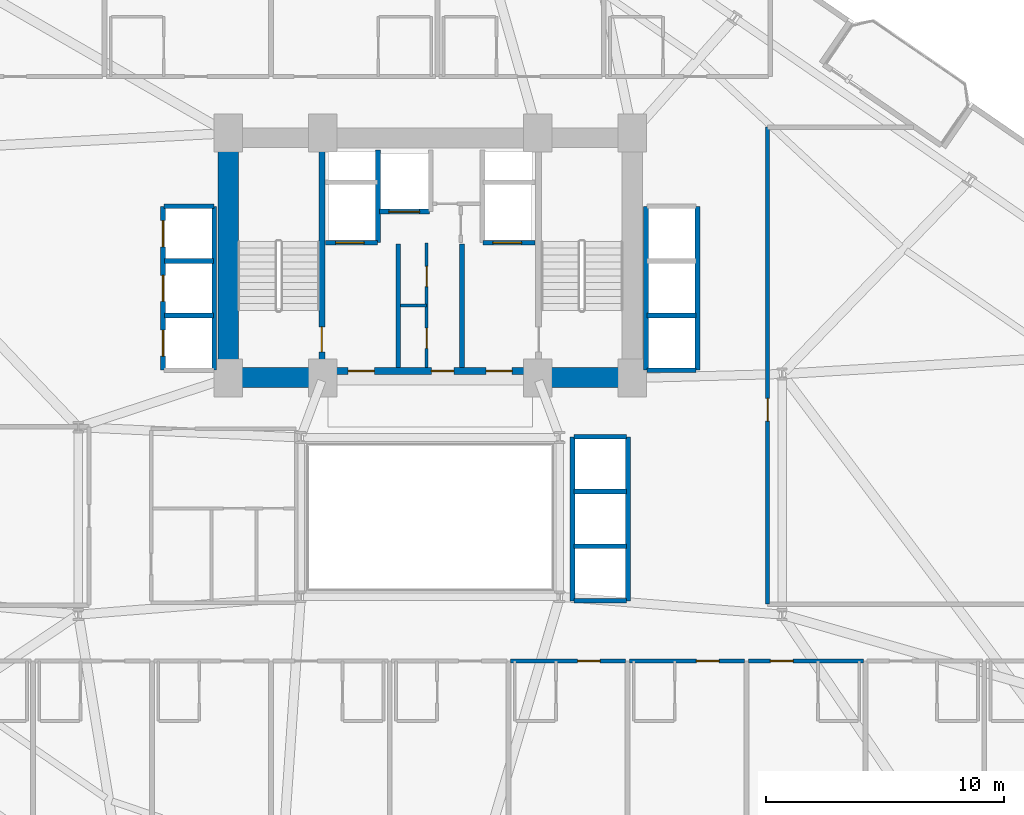
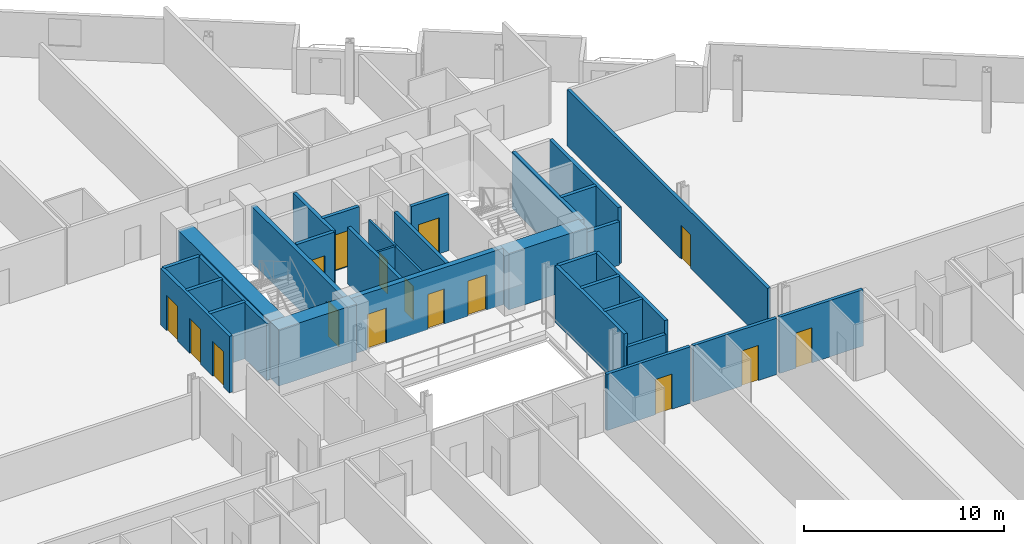
# One storey, part 21 of 27: 32 walls, 16 doors, 16 openings.
"""IFC4 building model written with IfcOpenShell, lengths in metres."""

from ifc_helpers import new_model, si_unit, direction, frame, frame_2d, origin, place, context, subcontext, project, spatial, rectangle, extrude, material, layer, layer_set, type_object, element, fill, save


model = new_model("IFC4")

# Units and contexts
model_context = context("Model", 3, precision=1e-05, world=origin(), true_north=direction((0.0, 1.0)))
body_context = subcontext(model_context, "Body", "Model", "MODEL_VIEW")
ifc_project = project(units=[si_unit("LENGTHUNIT", "METRE"), si_unit("AREAUNIT", "SQUARE_METRE"), si_unit("VOLUMEUNIT", "CUBIC_METRE"), si_unit("PLANEANGLEUNIT", "RADIAN"), si_unit("MASSUNIT", "GRAM", prefix="KILO")], contexts=[model_context])

# Site, building, storey
site_placement = place(None, origin())
site = spatial("IfcSite", under=ifc_project, at=site_placement, CompositionType="ELEMENT")
building_placement = place(site_placement, origin())
building = spatial("IfcBuilding", under=site, at=building_placement, Name="Varnelok Gate Tower", CompositionType="ELEMENT")
storey_placement = place(building_placement, frame((0.0, 0.0, 30.699951171875)))
storey = spatial("IfcBuildingStorey", under=building, at=storey_placement, Name="L06", CompositionType="ELEMENT", Elevation=30.699951171875)

# Wall, opening, door
ifc_material_1 = material(Name="Gypsum Plasterboard Acoustic Partition", Category="gypsum")
ifc_layer_1 = layer(ifc_material_1, 0.179931640625)
ifc_layer_set_1 = layer_set([ifc_layer_1], Name="Gypsum Plasterboard Acoustic Partition")
wall_type_1 = type_object("IfcWallType", Name="PW-CORR-180", PredefinedType="PARTITIONING", material=ifc_layer_set_1)
wall_1_placement = place(storey_placement, frame((42.580078125, 16.85009765625, 0.0), z_axis=(0.0, 0.0, 1.0), x_axis=(1.0, 0.0, 0.0)))
wall_1 = element("IfcWall", 1, at=wall_1_placement, inside=storey, type_object=wall_type_1, Name="Interior Partition", PredefinedType="PARTITIONING", context=body_context, shape_type="SweptSolid", body=[
    extrude(rectangle(XDim=4.83984375, YDim=0.179931640625, at=frame_2d((2.419921875, 0.0))), origin(), (0.0, 0.0, 1.0), 3.449951171875),
])
opening_1_placement = place(wall_1_placement, frame((2.819091796875, 0.0, 0.0)))
opening_1 = element("IfcOpeningElement", 2, at=opening_1_placement, cuts=wall_1, Name="Opening D-HT", PredefinedType="OPENING", context=body_context, shape_type="SweptSolid", body=[
    extrude(rectangle(XDim=0.949951171875, YDim=2.14990234375, at=frame_2d((0.47509765625, 1.074951171875))), frame((0.0, 0.099853515625, 0.0), z_axis=(0.0, -1.0, 0.0), x_axis=(1.0, 0.0, 0.0)), (0.0, 0.0, 1.0), 0.199951171875),
])
ifc_material_2 = material(Name="Engineered Hardwood Timber", Category="wood")
door_type_1 = type_object("IfcDoorType", Name="DR-HTL-950", OperationType="NOTDEFINED", PredefinedType="DOOR", material=ifc_material_2)
door_1_placement = place(opening_1_placement, origin())
door_1 = element("IfcDoor", 3, at=door_1_placement, inside=storey, type_object=door_type_1, Name="L06 Guest Room 08 Entrance Door", OperationType="SINGLE_SWING_LEFT", OverallHeight=2.14990234375, OverallWidth=0.949951171875, PredefinedType="DOOR", context=body_context, shape_type="SweptSolid", body=[
    extrude(rectangle(XDim=0.949951171875, YDim=2.14990234375, at=frame_2d((0.47509765625, 1.074951171875))), frame((0.0, 0.02490234375, 0.0), z_axis=(0.0, -1.0, 0.0), x_axis=(1.0, 0.0, 0.0)), (0.0, 0.0, 1.0), 0.050048828125),
])
fill(opening_1, door_1)

wall_2_placement = place(storey_placement, frame((47.580078125, 16.85009765625, 0.0), z_axis=(0.0, 0.0, 1.0), x_axis=(1.0, 0.0, 0.0)))
wall_2 = element("IfcWall", 4, at=wall_2_placement, inside=storey, type_object=wall_type_1, Name="Interior Partition", PredefinedType="PARTITIONING", context=body_context, shape_type="SweptSolid", body=[
    extrude(rectangle(XDim=4.83984375, YDim=0.179931640625, at=frame_2d((2.419921875, 0.0))), origin(), (0.0, 0.0, 1.0), 3.449951171875),
])
opening_2_placement = place(wall_2_placement, frame((2.819091796875, 0.0, 0.0)))
opening_2 = element("IfcOpeningElement", 5, at=opening_2_placement, cuts=wall_2, Name="Opening D-HT", PredefinedType="OPENING", context=body_context, shape_type="SweptSolid", body=[
    extrude(rectangle(XDim=0.949951171875, YDim=2.14990234375, at=frame_2d((0.47509765625, 1.074951171875))), frame((0.0, 0.099853515625, 0.0), z_axis=(0.0, -1.0, 0.0), x_axis=(1.0, 0.0, 0.0)), (0.0, 0.0, 1.0), 0.199951171875),
])
door_2_placement = place(opening_2_placement, origin())
door_2 = element("IfcDoor", 6, at=door_2_placement, inside=storey, type_object=door_type_1, Name="L06 Guest Room 09 Entrance Door", OperationType="SINGLE_SWING_RIGHT", OverallHeight=2.14990234375, OverallWidth=0.949951171875, PredefinedType="DOOR", context=body_context, shape_type="SweptSolid", body=[
    extrude(rectangle(XDim=0.949951171875, YDim=2.14990234375, at=frame_2d((0.47509765625, 1.074951171875))), frame((0.0, 0.02490234375, 0.0), z_axis=(0.0, -1.0, 0.0), x_axis=(1.0, 0.0, 0.0)), (0.0, 0.0, 1.0), 0.050048828125),
])
fill(opening_2, door_2)

wall_3_placement = place(storey_placement, frame((52.580078125, 16.85009765625, 0.0), z_axis=(0.0, 0.0, 1.0), x_axis=(1.0, 0.0, 0.0)))
wall_3 = element("IfcWall", 7, at=wall_3_placement, inside=storey, type_object=wall_type_1, Name="Interior Partition", PredefinedType="PARTITIONING", context=body_context, shape_type="SweptSolid", body=[
    extrude(rectangle(XDim=4.83984375, YDim=0.179931640625, at=frame_2d((2.419921875, 0.0))), origin(), (0.0, 0.0, 1.0), 3.449951171875),
])
opening_3_placement = place(wall_3_placement, frame((0.92919921875, 0.0, 0.0)))
opening_3 = element("IfcOpeningElement", 8, at=opening_3_placement, cuts=wall_3, Name="Opening D-HT", PredefinedType="OPENING", context=body_context, shape_type="SweptSolid", body=[
    extrude(rectangle(XDim=0.949951171875, YDim=2.14990234375, at=frame_2d((0.47509765625, 1.074951171875))), frame((0.0, 0.099853515625, 0.0), z_axis=(0.0, -1.0, 0.0), x_axis=(1.0, 0.0, 0.0)), (0.0, 0.0, 1.0), 0.199951171875),
])
door_3_placement = place(opening_3_placement, origin())
door_3 = element("IfcDoor", 9, at=door_3_placement, inside=storey, type_object=door_type_1, Name="L06 Guest Room 10 Entrance Door", OperationType="SINGLE_SWING_LEFT", OverallHeight=2.14990234375, OverallWidth=0.949951171875, PredefinedType="DOOR", context=body_context, shape_type="SweptSolid", body=[
    extrude(rectangle(XDim=0.949951171875, YDim=2.14990234375, at=frame_2d((0.47509765625, 1.074951171875))), frame((0.0, 0.02490234375, 0.0), z_axis=(0.0, -1.0, 0.0), x_axis=(1.0, 0.0, 0.0)), (0.0, 0.0, 1.0), 0.050048828125),
])
fill(opening_3, door_3)

wall_4_placement = place(storey_placement, frame((53.389892578125, 19.239990234375, 0.0), z_axis=(0.0, 0.0, 1.0), x_axis=(0.0, 1.0, 0.0)))
wall_4 = element("IfcWall", 10, at=wall_4_placement, inside=storey, type_object=wall_type_1, Name="Interior Partition", PredefinedType="PARTITIONING", context=body_context, shape_type="SweptSolid", body=[
    extrude(rectangle(XDim=20.06005859375, YDim=0.179931640625, at=frame_2d((10.030029296875, 0.0))), origin(), (0.0, 0.0, 1.0), 3.449951171875),
])
opening_4_placement = place(wall_4_placement, frame((7.699951171875, 0.0, 0.0)))
opening_4 = element("IfcOpeningElement", 11, at=opening_4_placement, cuts=wall_4, Name="Opening D-I2", PredefinedType="OPENING", context=body_context, shape_type="SweptSolid", body=[
    extrude(rectangle(XDim=0.949951171875, YDim=2.050048828125, at=frame_2d((0.47509765625, 1.02490234375))), frame((0.0, 0.099853515625, 0.0), z_axis=(0.0, -1.0, 0.0), x_axis=(1.0, 0.0, 0.0)), (0.0, 0.0, 1.0), 0.199951171875),
])
door_type_2 = type_object("IfcDoorType", Name="DR-INT-950", OperationType="NOTDEFINED", PredefinedType="DOOR", material=ifc_material_2)
door_4_placement = place(opening_4_placement, origin())
door_4 = element("IfcDoor", 12, at=door_4_placement, inside=storey, type_object=door_type_2, Name="L06 East Club Door", OperationType="SINGLE_SWING_RIGHT", OverallHeight=2.050048828125, OverallWidth=0.949951171875, PredefinedType="DOOR", context=body_context, shape_type="SweptSolid", body=[
    extrude(rectangle(XDim=0.949951171875, YDim=2.050048828125, at=frame_2d((0.47509765625, 1.02490234375))), frame((0.0, 0.02490234375, 0.0), z_axis=(0.0, -1.0, 0.0), x_axis=(1.0, 0.0, 0.0)), (0.0, 0.0, 1.0), 0.050048828125),
])
fill(opening_4, door_4)

# Wall
ifc_layer_2 = layer(ifc_material_1, 0.125)
ifc_layer_set_2 = layer_set([ifc_layer_2], Name="Gypsum Plasterboard Acoustic Partition")
wall_type_2 = type_object("IfcWallType", Name="PW-PART-125", PredefinedType="PARTITIONING", material=ifc_layer_set_2)
wall_5_placement = place(storey_placement, frame((37.9599609375, 31.800048828125, 0.0), z_axis=(0.0, 0.0, 1.0), x_axis=(1.0, 0.0, 0.0)))
element("IfcWall", 13, at=wall_5_placement, inside=storey, type_object=wall_type_2, Name="Interior Partition", PredefinedType="PARTITIONING", context=body_context, shape_type="SweptSolid", body=[
    extrude(rectangle(XDim=1.090087890625, YDim=0.125, at=frame_2d((0.544921875, 0.0))), origin(), (0.0, 0.0, 1.0), 3.449951171875),
])

# Wall, openings, doors
wall_6_placement = place(storey_placement, frame((39.050048828125, 29.199951171875, 0.0), z_axis=(0.0, 0.0, 1.0), x_axis=(0.0, 1.0, 0.0)))
wall_6 = element("IfcWall", 14, at=wall_6_placement, inside=storey, type_object=wall_type_2, Name="Interior Partition", PredefinedType="PARTITIONING", context=body_context, shape_type="SweptSolid", body=[
    extrude(rectangle(XDim=5.219970703125, YDim=0.125, at=frame_2d((2.60986328125, 0.0))), origin(), (0.0, 0.0, 1.0), 3.449951171875),
])
opening_5_placement = place(wall_6_placement, frame((0.800048828125, 0.0, 0.0)))
opening_5 = element("IfcOpeningElement", 15, at=opening_5_placement, cuts=wall_6, Name="Opening D-RS", PredefinedType="OPENING", context=body_context, shape_type="SweptSolid", body=[
    extrude(rectangle(XDim=0.85009765625, YDim=2.050048828125, at=frame_2d((0.425048828125, 1.02490234375))), frame((0.0, 0.072509765625, 0.0), z_axis=(0.0, -1.0, 0.0), x_axis=(1.0, 0.0, 0.0)), (0.0, 0.0, 1.0), 0.14501953125),
])
opening_6_placement = place(wall_6_placement, frame((3.39990234375, 0.0, 0.0)))
opening_6 = element("IfcOpeningElement", 16, at=opening_6_placement, cuts=wall_6, Name="Opening D-RS", PredefinedType="OPENING", context=body_context, shape_type="SweptSolid", body=[
    extrude(rectangle(XDim=0.85009765625, YDim=2.050048828125, at=frame_2d((0.425048828125, 1.02490234375))), frame((0.0, 0.072509765625, 0.0), z_axis=(0.0, -1.0, 0.0), x_axis=(1.0, 0.0, 0.0)), (0.0, 0.0, 1.0), 0.14501953125),
])
ifc_material_3 = material(Name="Galvanized Steel Grade S350GD", Category="steel")
door_type_3 = type_object("IfcDoorType", Name="DR-RISER-850", OperationType="NOTDEFINED", PredefinedType="DOOR", material=ifc_material_3)
door_5_placement = place(opening_5_placement, origin())
door_5 = element("IfcDoor", 17, at=door_5_placement, inside=storey, type_object=door_type_3, Name="L06 Housekeeping Linen Door", OperationType="SINGLE_SWING_LEFT", OverallHeight=2.050048828125, OverallWidth=0.85009765625, PredefinedType="DOOR", context=body_context, shape_type="SweptSolid", body=[
    extrude(rectangle(XDim=0.85009765625, YDim=2.050048828125, at=frame_2d((0.425048828125, 1.02490234375))), frame((0.0, 0.02490234375, 0.0), z_axis=(0.0, -1.0, 0.0), x_axis=(1.0, 0.0, 0.0)), (0.0, 0.0, 1.0), 0.050048828125),
])
fill(opening_5, door_5)
door_6_placement = place(opening_6_placement, origin())
door_6 = element("IfcDoor", 18, at=door_6_placement, inside=storey, type_object=door_type_3, Name="L06 Janitor Sink Door", OperationType="SINGLE_SWING_RIGHT", OverallHeight=2.050048828125, OverallWidth=0.85009765625, PredefinedType="DOOR", context=body_context, shape_type="SweptSolid", body=[
    extrude(rectangle(XDim=0.85009765625, YDim=2.050048828125, at=frame_2d((0.425048828125, 1.02490234375))), frame((0.0, 0.02490234375, 0.0), z_axis=(0.0, -1.0, 0.0), x_axis=(1.0, 0.0, 0.0)), (0.0, 0.0, 1.0), 0.050048828125),
])
fill(opening_6, door_6)

# Walls
ifc_material_4 = material(Name="Concrete C35/45", Category="concrete")
ifc_layer_3 = layer(ifc_material_4, 0.199951171875)
ifc_layer_set_3 = layer_set([ifc_layer_3], Name="Concrete C35/45")
wall_type_3 = type_object("IfcWallType", Name="PW-SHAFT-200", PredefinedType="PARTITIONING", material=ifc_layer_set_3)
for number, where, z_axis, x_axis, name in (
    (19, (37.860107421875, 29.199951171875, 0.0), (0.0, 0.0, 1.0), (0.0, 1.0, 0.0), "L06 West FF Lobby Rated Wall"),
    (20, (40.5400390625, 29.199951171875, 0.0), (0.0, 0.0, 1.0), (0.0, 1.0, 0.0), "L06 East FF Lobby Rated Wall"),
):
    element("IfcWall", number, at=place(storey_placement, frame(where, z_axis=z_axis, x_axis=x_axis)), inside=storey, type_object=wall_type_3, Name=name, PredefinedType="PARTITIONING", context=body_context, shape_type="SweptSolid", body=[
        extrude(rectangle(XDim=5.179931640625, YDim=0.199951171875, at=frame_2d((2.58984375, 0.0))), origin(), (0.0, 0.0, 1.0), 3.449951171875),
    ])

# Wall, opening, door
wall_7_placement = place(storey_placement, frame((34.800048828125, 34.43994140625, 0.0), z_axis=(0.0, 0.0, 1.0), x_axis=(1.0, 0.0, 0.0)))
wall_7 = element("IfcWall", 21, at=wall_7_placement, inside=storey, type_object=wall_type_3, Name="L06 FF1 Shaft Front Wall", PredefinedType="PARTITIONING", context=body_context, shape_type="SweptSolid", body=[
    extrude(rectangle(XDim=2.179931640625, YDim=0.199951171875, at=frame_2d((1.08984375, 0.0))), origin(), (0.0, 0.0, 1.0), 3.449951171875),
])
opening_7_placement = place(wall_7_placement, frame((0.419921875, 0.0, 0.0)))
opening_7 = element("IfcOpeningElement", 22, at=opening_7_placement, cuts=wall_7, Name="Opening LD-FF1", PredefinedType="OPENING", context=body_context, shape_type="SweptSolid", body=[
    extrude(rectangle(XDim=1.199951171875, YDim=2.199951171875, at=frame_2d((0.60009765625, 1.10009765625))), frame((0.0, 0.10986328125, 0.0), z_axis=(0.0, -1.0, 0.0), x_axis=(1.0, 0.0, 0.0)), (0.0, 0.0, 1.0), 0.219970703125),
])
door_type_4 = type_object("IfcDoorType", Name="DR-LIFT-FF1200", OperationType="SLIDING_TO_LEFT", PredefinedType="DOOR", material=ifc_material_3)
door_7_placement = place(opening_7_placement, origin())
door_7 = element("IfcDoor", 23, at=door_7_placement, inside=storey, type_object=door_type_4, Name="L06 Firefighting Lift Landing Door LD-FF1", OperationType="SLIDING_TO_LEFT", OverallHeight=2.199951171875, OverallWidth=1.199951171875, PredefinedType="DOOR", context=body_context, shape_type="SweptSolid", body=[
    extrude(rectangle(XDim=1.199951171875, YDim=2.199951171875, at=frame_2d((0.60009765625, 1.10009765625))), frame((0.0, 0.02490234375, 0.0), z_axis=(0.0, -1.0, 0.0), x_axis=(1.0, 0.0, 0.0)), (0.0, 0.0, 1.0), 0.050048828125),
])
fill(opening_7, door_7)

# Wall
wall_8_placement = place(storey_placement, frame((37.0, 34.43994140625, 0.0), z_axis=(0.0, 0.0, 1.0), x_axis=(0.0, 1.0, 0.0)))
element("IfcWall", 24, at=wall_8_placement, inside=storey, type_object=wall_type_3, Name="L06 FF1 Shaft Side Wall", PredefinedType="PARTITIONING", context=body_context, shape_type="SweptSolid", body=[
    extrude(rectangle(XDim=3.900146484375, YDim=0.199951171875, at=frame_2d((1.9501953125, 0.0))), origin(), (0.0, 0.0, 1.0), 3.449951171875),
])

# Wall, opening, door
wall_9_placement = place(storey_placement, frame((41.419921875, 34.43994140625, 0.0), z_axis=(0.0, 0.0, 1.0), x_axis=(1.0, 0.0, 0.0)))
wall_9 = element("IfcWall", 25, at=wall_9_placement, inside=storey, type_object=wall_type_3, Name="L06 FF2 Shaft Front Wall", PredefinedType="PARTITIONING", context=body_context, shape_type="SweptSolid", body=[
    extrude(rectangle(XDim=2.18017578125, YDim=0.199951171875, at=frame_2d((1.090087890625, 0.0))), origin(), (0.0, 0.0, 1.0), 3.449951171875),
])
opening_8_placement = place(wall_9_placement, frame((0.419921875, 0.0, 0.0)))
opening_8 = element("IfcOpeningElement", 26, at=opening_8_placement, cuts=wall_9, Name="Opening LD-FF2", PredefinedType="OPENING", context=body_context, shape_type="SweptSolid", body=[
    extrude(rectangle(XDim=1.199951171875, YDim=2.199951171875, at=frame_2d((0.60009765625, 1.10009765625))), frame((0.0, 0.10986328125, 0.0), z_axis=(0.0, -1.0, 0.0), x_axis=(1.0, 0.0, 0.0)), (0.0, 0.0, 1.0), 0.219970703125),
])
door_8_placement = place(opening_8_placement, origin())
door_8 = element("IfcDoor", 27, at=door_8_placement, inside=storey, type_object=door_type_4, Name="L06 Firefighting Lift Landing Door LD-FF2", OperationType="SLIDING_TO_LEFT", OverallHeight=2.199951171875, OverallWidth=1.199951171875, PredefinedType="DOOR", context=body_context, shape_type="SweptSolid", body=[
    extrude(rectangle(XDim=1.199951171875, YDim=2.199951171875, at=frame_2d((0.60009765625, 1.10009765625))), frame((0.0, 0.02490234375, 0.0), z_axis=(0.0, -1.0, 0.0), x_axis=(1.0, 0.0, 0.0)), (0.0, 0.0, 1.0), 0.050048828125),
])
fill(opening_8, door_8)

wall_10_placement = place(storey_placement, frame((37.06005859375, 35.75, 0.0), z_axis=(0.0, 0.0, 1.0), x_axis=(1.0, 0.0, 0.0)))
wall_10 = element("IfcWall", 28, at=wall_10_placement, inside=storey, type_object=wall_type_3, Name="L06 SV1 Shaft Front Wall", PredefinedType="PARTITIONING", context=body_context, shape_type="SweptSolid", body=[
    extrude(rectangle(XDim=2.119873046875, YDim=0.199951171875, at=frame_2d((1.06005859375, 0.0))), origin(), (0.0, 0.0, 1.0), 3.449951171875),
])
opening_9_placement = place(wall_10_placement, frame((0.39990234375, 0.0, 0.0)))
opening_9 = element("IfcOpeningElement", 29, at=opening_9_placement, cuts=wall_10, Name="Opening LD-SV1", PredefinedType="OPENING", context=body_context, shape_type="SweptSolid", body=[
    extrude(rectangle(XDim=1.300048828125, YDim=2.199951171875, at=frame_2d((0.64990234375, 1.10009765625))), frame((0.0, 0.10986328125, 0.0), z_axis=(0.0, -1.0, 0.0), x_axis=(1.0, 0.0, 0.0)), (0.0, 0.0, 1.0), 0.219970703125),
])
door_type_5 = type_object("IfcDoorType", Name="DR-LIFT-SV1300", OperationType="SLIDING_TO_LEFT", PredefinedType="DOOR", material=ifc_material_3)
door_9_placement = place(opening_9_placement, origin())
door_9 = element("IfcDoor", 30, at=door_9_placement, inside=storey, type_object=door_type_5, Name="L06 Service Lift Landing Door LD-SV1", OperationType="SLIDING_TO_LEFT", OverallHeight=2.199951171875, OverallWidth=1.300048828125, PredefinedType="DOOR", context=body_context, shape_type="SweptSolid", body=[
    extrude(rectangle(XDim=1.300048828125, YDim=2.199951171875, at=frame_2d((0.64990234375, 1.10009765625))), frame((0.0, 0.02490234375, 0.0), z_axis=(0.0, -1.0, 0.0), x_axis=(1.0, 0.0, 0.0)), (0.0, 0.0, 1.0), 0.050048828125),
])
fill(opening_9, door_9)

# Walls
for number, where, z_axis, x_axis, name in (
    (31, (28.02001953125, 31.375, 0.0), (0.0, 0.0, 1.0), (1.0, 0.0, 0.0), "L06 PL1 Divider"),
    (32, (28.02001953125, 33.675048828125, 0.0), (0.0, 0.0, 1.0), (1.0, 0.0, 0.0), "L06 PL2 Divider"),
):
    element("IfcWall", number, at=place(storey_placement, frame(where, z_axis=z_axis, x_axis=x_axis)), inside=storey, type_object=wall_type_3, Name=name, PredefinedType="PARTITIONING", context=body_context, shape_type="SweptSolid", body=[
        extrude(rectangle(XDim=2.06005859375, YDim=0.199951171875, at=frame_2d((1.030029296875, 0.0))), origin(), (0.0, 0.0, 1.0), 3.449951171875),
    ])
wall_11_placement = place(storey_placement, frame((28.0, 35.969970703125, 0.0), z_axis=(0.0, 0.0, 1.0), x_axis=(1.0, 0.0, 0.0)))
element("IfcWall", 33, at=wall_11_placement, inside=storey, type_object=wall_type_3, Name="L06 PL Bank North Wall", PredefinedType="PARTITIONING", context=body_context, shape_type="SweptSolid", body=[
    extrude(rectangle(XDim=2.10009765625, YDim=0.199951171875, at=frame_2d((1.050048828125, 0.0))), origin(), (0.0, 0.0, 1.0), 3.449951171875),
])
wall_12_placement = place(storey_placement, frame((30.1201171875, 29.080078125, 0.0), z_axis=(0.0, 0.0, 1.0), x_axis=(0.0, 1.0, 0.0)))
element("IfcWall", 34, at=wall_12_placement, inside=storey, type_object=wall_type_3, Name="L06 PL Bank Back Wall", PredefinedType="PARTITIONING", context=body_context, shape_type="SweptSolid", body=[
    extrude(rectangle(XDim=6.889892578125, YDim=0.199951171875, at=frame_2d((3.44482421875, 0.0))), origin(), (0.0, 0.0, 1.0), 3.449951171875),
])

# Wall, openings, doors
wall_13_placement = place(storey_placement, frame((27.9599609375, 29.080078125, 0.0), z_axis=(0.0, 0.0, 1.0), x_axis=(0.0, 1.0, 0.0)))
wall_13 = element("IfcWall", 35, at=wall_13_placement, inside=storey, type_object=wall_type_3, Name="L06 PL Bank Front Wall", PredefinedType="PARTITIONING", context=body_context, shape_type="SweptSolid", body=[
    extrude(rectangle(XDim=6.889892578125, YDim=0.199951171875, at=frame_2d((3.44482421875, 0.0))), origin(), (0.0, 0.0, 1.0), 3.449951171875),
])
opening_10_placement = place(wall_13_placement, frame((0.590087890625, 0.0, 0.0)))
opening_10 = element("IfcOpeningElement", 36, at=opening_10_placement, cuts=wall_13, Name="Opening LD-PL1", PredefinedType="OPENING", context=body_context, shape_type="SweptSolid", body=[
    extrude(rectangle(XDim=1.10009765625, YDim=2.14990234375, at=frame_2d((0.550048828125, 1.074951171875))), frame((0.0, 0.10986328125, 0.0), z_axis=(0.0, -1.0, 0.0), x_axis=(1.0, 0.0, 0.0)), (0.0, 0.0, 1.0), 0.219970703125),
])
opening_11_placement = place(wall_13_placement, frame((2.889892578125, 0.0, 0.0)))
opening_11 = element("IfcOpeningElement", 37, at=opening_11_placement, cuts=wall_13, Name="Opening LD-PL2", PredefinedType="OPENING", context=body_context, shape_type="SweptSolid", body=[
    extrude(rectangle(XDim=1.10009765625, YDim=2.14990234375, at=frame_2d((0.550048828125, 1.074951171875))), frame((0.0, 0.10986328125, 0.0), z_axis=(0.0, -1.0, 0.0), x_axis=(1.0, 0.0, 0.0)), (0.0, 0.0, 1.0), 0.219970703125),
])
opening_12_placement = place(wall_13_placement, frame((5.18994140625, 0.0, 0.0)))
opening_12 = element("IfcOpeningElement", 38, at=opening_12_placement, cuts=wall_13, Name="Opening LD-PL3", PredefinedType="OPENING", context=body_context, shape_type="SweptSolid", body=[
    extrude(rectangle(XDim=1.10009765625, YDim=2.14990234375, at=frame_2d((0.550048828125, 1.074951171875))), frame((0.0, 0.10986328125, 0.0), z_axis=(0.0, -1.0, 0.0), x_axis=(1.0, 0.0, 0.0)), (0.0, 0.0, 1.0), 0.219970703125),
])
door_type_6 = type_object("IfcDoorType", Name="DR-LIFT-PAX1100", OperationType="SLIDING_TO_LEFT", PredefinedType="DOOR", material=ifc_material_3)
door_10_placement = place(opening_10_placement, origin())
door_10 = element("IfcDoor", 39, at=door_10_placement, inside=storey, type_object=door_type_6, Name="L06 Passenger Lift Landing Door LD-PL1", OperationType="SLIDING_TO_LEFT", OverallHeight=2.14990234375, OverallWidth=1.10009765625, PredefinedType="DOOR", context=body_context, shape_type="SweptSolid", body=[
    extrude(rectangle(XDim=1.10009765625, YDim=2.14990234375, at=frame_2d((0.550048828125, 1.074951171875))), frame((0.0, 0.02490234375, 0.0), z_axis=(0.0, -1.0, 0.0), x_axis=(1.0, 0.0, 0.0)), (0.0, 0.0, 1.0), 0.050048828125),
])
fill(opening_10, door_10)
door_11_placement = place(opening_11_placement, origin())
door_11 = element("IfcDoor", 40, at=door_11_placement, inside=storey, type_object=door_type_6, Name="L06 Passenger Lift Landing Door LD-PL2", OperationType="SLIDING_TO_LEFT", OverallHeight=2.14990234375, OverallWidth=1.10009765625, PredefinedType="DOOR", context=body_context, shape_type="SweptSolid", body=[
    extrude(rectangle(XDim=1.10009765625, YDim=2.14990234375, at=frame_2d((0.550048828125, 1.074951171875))), frame((0.0, 0.02490234375, 0.0), z_axis=(0.0, -1.0, 0.0), x_axis=(1.0, 0.0, 0.0)), (0.0, 0.0, 1.0), 0.050048828125),
])
fill(opening_11, door_11)
door_12_placement = place(opening_12_placement, origin())
door_12 = element("IfcDoor", 41, at=door_12_placement, inside=storey, type_object=door_type_6, Name="L06 Passenger Lift Landing Door LD-PL3", OperationType="SLIDING_TO_LEFT", OverallHeight=2.14990234375, OverallWidth=1.10009765625, PredefinedType="DOOR", context=body_context, shape_type="SweptSolid", body=[
    extrude(rectangle(XDim=1.10009765625, YDim=2.14990234375, at=frame_2d((0.550048828125, 1.074951171875))), frame((0.0, 0.02490234375, 0.0), z_axis=(0.0, -1.0, 0.0), x_axis=(1.0, 0.0, 0.0)), (0.0, 0.0, 1.0), 0.050048828125),
])
fill(opening_12, door_12)

# Walls
wall_14_placement = place(storey_placement, frame((48.320068359375, 31.375, 0.0), z_axis=(0.0, 0.0, 1.0), x_axis=(1.0, 0.0, 0.0)))
element("IfcWall", 42, at=wall_14_placement, inside=storey, type_object=wall_type_3, Name="L06 PM1 Divider", PredefinedType="PARTITIONING", context=body_context, shape_type="SweptSolid", body=[
    extrude(rectangle(XDim=2.059814453125, YDim=0.199951171875, at=frame_2d((1.02978515625, 0.0))), origin(), (0.0, 0.0, 1.0), 3.449951171875),
])
wall_15_placement = place(storey_placement, frame((48.320068359375, 29.080078125, 0.0), z_axis=(0.0, 0.0, 1.0), x_axis=(1.0, 0.0, 0.0)))
element("IfcWall", 43, at=wall_15_placement, inside=storey, type_object=wall_type_3, Name="L06 PM Bank South Wall", PredefinedType="PARTITIONING", context=body_context, shape_type="SweptSolid", body=[
    extrude(rectangle(XDim=2.059814453125, YDim=0.199951171875, at=frame_2d((1.02978515625, 0.0))), origin(), (0.0, 0.0, 1.0), 2.662109375),
])
for number, where, z_axis, x_axis, name in (
    (44, (48.280029296875, 29.080078125, 0.0), (0.0, 0.0, 1.0), (0.0, 1.0, 0.0), "L06 PM Bank Back Wall"),
    (45, (50.43994140625, 29.080078125, 0.0), (0.0, 0.0, 1.0), (0.0, 1.0, 0.0), "L06 PM Bank Front Wall"),
):
    element("IfcWall", number, at=place(storey_placement, frame(where, z_axis=z_axis, x_axis=x_axis)), inside=storey, type_object=wall_type_3, Name=name, PredefinedType="PARTITIONING", context=body_context, shape_type="SweptSolid", body=[
        extrude(rectangle(XDim=6.889892578125, YDim=0.199951171875, at=frame_2d((3.44482421875, 0.0))), origin(), (0.0, 0.0, 1.0), 3.449951171875),
    ])
for number, where, z_axis, x_axis, name in (
    (46, (45.239990234375, 21.675048828125, 0.0), (0.0, 0.0, 1.0), (1.0, 0.0, 0.0), "L06 PH1 Divider"),
    (47, (45.239990234375, 23.97509765625, 0.0), (0.0, 0.0, 1.0), (1.0, 0.0, 0.0), "L06 PH2 Divider"),
):
    element("IfcWall", number, at=place(storey_placement, frame(where, z_axis=z_axis, x_axis=x_axis)), inside=storey, type_object=wall_type_3, Name=name, PredefinedType="PARTITIONING", context=body_context, shape_type="SweptSolid", body=[
        extrude(rectangle(XDim=2.219970703125, YDim=0.199951171875, at=frame_2d((1.10986328125, 0.0))), origin(), (0.0, 0.0, 1.0), 3.449951171875),
    ])
wall_16_placement = place(storey_placement, frame((45.239990234375, 19.3798828125, 0.0), z_axis=(0.0, 0.0, 1.0), x_axis=(1.0, 0.0, 0.0)))
element("IfcWall", 48, at=wall_16_placement, inside=storey, type_object=wall_type_3, Name="L06 PH Bank South Wall", PredefinedType="PARTITIONING", context=body_context, shape_type="SweptSolid", body=[
    extrude(rectangle(XDim=2.219970703125, YDim=0.199951171875, at=frame_2d((1.10986328125, 0.0))), origin(), (0.0, 0.0, 1.0), 2.662109375),
])
wall_17_placement = place(storey_placement, frame((45.239990234375, 26.280029296875, 0.0), z_axis=(0.0, 0.0, 1.0), x_axis=(1.0, 0.0, 0.0)))
element("IfcWall", 49, at=wall_17_placement, inside=storey, type_object=wall_type_3, Name="L06 PH Bank North Wall", PredefinedType="PARTITIONING", context=body_context, shape_type="SweptSolid", body=[
    extrude(rectangle(XDim=2.219970703125, YDim=0.199951171875, at=frame_2d((1.10986328125, 0.0))), origin(), (0.0, 0.0, 1.0), 3.449951171875),
])
for number, where, z_axis, x_axis, name in (
    (50, (45.179931640625, 19.3798828125, 0.0), (0.0, 0.0, 1.0), (0.0, 1.0, 0.0), "L06 PH Bank Atrium Wall"),
    (51, (47.52001953125, 19.3798828125, 0.0), (0.0, 0.0, 1.0), (0.0, 1.0, 0.0), "L06 PH Bank Front Wall"),
):
    element("IfcWall", number, at=place(storey_placement, frame(where, z_axis=z_axis, x_axis=x_axis)), inside=storey, type_object=wall_type_3, Name=name, PredefinedType="PARTITIONING", context=body_context, shape_type="SweptSolid", body=[
        extrude(rectangle(XDim=6.900146484375, YDim=0.199951171875, at=frame_2d((3.4501953125, 0.0))), origin(), (0.0, 0.0, 1.0), 3.449951171875),
    ])
ifc_material_5 = material(Name="Concrete C70/85", Category="concrete")
ifc_layer_4 = layer(ifc_material_5, 0.85009765625)
ifc_layer_set_4 = layer_set([ifc_layer_4], Name="Concrete C70/85")
wall_type_4 = type_object("IfcWallType", Name="SW-CORE-850", PredefinedType="SHEAR", material=ifc_layer_set_4)
wall_18_placement = place(storey_placement, frame((30.705078125, 29.199951171875, 0.0), z_axis=(0.0, 0.0, 1.0), x_axis=(0.0, 1.0, 0.0)))
element("IfcWall", 52, at=wall_18_placement, inside=storey, type_object=wall_type_4, Name="L06 Rear Core West Shear Wall", PredefinedType="SHEAR", context=body_context, shape_type="SweptSolid", body=[
    extrude(rectangle(XDim=9.219970703125, YDim=0.85009765625, at=frame_2d((4.60986328125, 0.0))), origin(), (0.0, 0.0, 1.0), 3.449951171875),
])
for number, where, z_axis, x_axis, name in (
    (53, (30.280029296875, 28.77490234375, 0.0), (0.0, 0.0, 1.0), (1.0, 0.0, 0.0), "L06 Rear Core South-West Shear Wall"),
    (54, (43.60009765625, 28.77490234375, 0.0), (0.0, 0.0, 1.0), (1.0, 0.0, 0.0), "L06 Rear Core South-East Shear Wall"),
):
    element("IfcWall", number, at=place(storey_placement, frame(where, z_axis=z_axis, x_axis=x_axis)), inside=storey, type_object=wall_type_4, Name=name, PredefinedType="SHEAR", context=body_context, shape_type="SweptSolid", body=[
        extrude(rectangle(XDim=4.52001953125, YDim=0.85009765625, at=frame_2d((2.260009765625, 0.0))), origin(), (0.0, 0.0, 1.0), 3.449951171875),
    ])

# Wall, opening, door
ifc_material_6 = material(Name="Concrete C60/75", Category="concrete")
ifc_layer_5 = layer(ifc_material_6, 0.25)
ifc_layer_set_5 = layer_set([ifc_layer_5], Name="Concrete C60/75")
wall_type_5 = type_object("IfcWallType", Name="SW-SHAFT-250", PredefinedType="SHEAR", material=ifc_layer_set_5)
wall_19_placement = place(storey_placement, frame((34.639892578125, 29.199951171875, 0.0), z_axis=(0.0, 0.0, 1.0), x_axis=(0.0, 1.0, 0.0)))
wall_19 = element("IfcWall", 55, at=wall_19_placement, inside=storey, type_object=wall_type_5, Name="L06 Stair ST-1 East Shear Wall", PredefinedType="SHEAR", context=body_context, shape_type="SweptSolid", body=[
    extrude(rectangle(XDim=9.219970703125, YDim=0.25, at=frame_2d((4.60986328125, 0.0))), origin(), (0.0, 0.0, 1.0), 3.449951171875),
])
opening_13_placement = place(wall_19_placement, frame((0.64990234375, 0.0, 0.0)))
opening_13 = element("IfcOpeningElement", 56, at=opening_13_placement, cuts=wall_19, Name="Opening D-ST", PredefinedType="OPENING", context=body_context, shape_type="SweptSolid", body=[
    extrude(rectangle(XDim=1.050048828125, YDim=2.14990234375, at=frame_2d((0.52490234375, 1.074951171875))), frame((0.0, 0.135009765625, 0.0), z_axis=(0.0, -1.0, 0.0), x_axis=(1.0, 0.0, 0.0)), (0.0, 0.0, 1.0), 0.27001953125),
])
door_type_7 = type_object("IfcDoorType", Name="DR-STAIR-1050", OperationType="NOTDEFINED", PredefinedType="DOOR", material=ifc_material_3)
door_13_placement = place(opening_13_placement, origin())
door_13 = element("IfcDoor", 57, at=door_13_placement, inside=storey, type_object=door_type_7, Name="L06 Exit Stair ST-1 Fire Door", OperationType="SINGLE_SWING_LEFT", OverallHeight=2.14990234375, OverallWidth=1.050048828125, PredefinedType="DOOR", context=body_context, shape_type="SweptSolid", body=[
    extrude(rectangle(XDim=1.050048828125, YDim=2.14990234375, at=frame_2d((0.52490234375, 1.074951171875))), frame((0.0, 0.02490234375, 0.0), z_axis=(0.0, -1.0, 0.0), x_axis=(1.0, 0.0, 0.0)), (0.0, 0.0, 1.0), 0.050048828125),
])
fill(opening_13, door_13)

# Wall, openings, doors
ifc_layer_6 = layer(ifc_material_6, 0.300048828125)
ifc_layer_set_6 = layer_set([ifc_layer_6], Name="Concrete C60/75")
wall_type_6 = type_object("IfcWallType", Name="SW-SHAFT-300", PredefinedType="SHEAR", material=ifc_layer_set_6)
wall_20_placement = place(storey_placement, frame((34.800048828125, 29.050048828125, 0.0), z_axis=(0.0, 0.0, 1.0), x_axis=(1.0, 0.0, 0.0)))
wall_20 = element("IfcWall", 58, at=wall_20_placement, inside=storey, type_object=wall_type_6, Name="L06 Rear Core Central Lobby Shear Wall", PredefinedType="SHEAR", context=body_context, shape_type="SweptSolid", body=[
    extrude(rectangle(XDim=8.800048828125, YDim=0.300048828125, at=frame_2d((4.39990234375, 0.0))), origin(), (0.0, 0.0, 1.0), 3.449951171875),
])
opening_14_placement = place(wall_20_placement, frame((0.949951171875, 0.0, 0.0)))
opening_14 = element("IfcOpeningElement", 59, at=opening_14_placement, cuts=wall_20, Name="Opening D-FF", PredefinedType="OPENING", context=body_context, shape_type="SweptSolid", body=[
    extrude(rectangle(XDim=1.10009765625, YDim=2.14990234375, at=frame_2d((0.550048828125, 1.074951171875))), frame((0.0, 0.159912109375, 0.0), z_axis=(0.0, -1.0, 0.0), x_axis=(1.0, 0.0, 0.0)), (0.0, 0.0, 1.0), 0.320068359375),
])
opening_15_placement = place(wall_20_placement, frame((6.75, 0.0, 0.0)))
opening_15 = element("IfcOpeningElement", 60, at=opening_15_placement, cuts=wall_20, Name="Opening D-FF", PredefinedType="OPENING", context=body_context, shape_type="SweptSolid", body=[
    extrude(rectangle(XDim=1.10009765625, YDim=2.14990234375, at=frame_2d((0.550048828125, 1.074951171875))), frame((0.0, 0.159912109375, 0.0), z_axis=(0.0, -1.0, 0.0), x_axis=(1.0, 0.0, 0.0)), (0.0, 0.0, 1.0), 0.320068359375),
])
opening_16_placement = place(wall_20_placement, frame((4.449951171875, 0.0, 0.0)))
opening_16 = element("IfcOpeningElement", 61, at=opening_16_placement, cuts=wall_20, Name="Opening D-CR", PredefinedType="OPENING", context=body_context, shape_type="SweptSolid", body=[
    extrude(rectangle(XDim=0.949951171875, YDim=2.14990234375, at=frame_2d((0.47509765625, 1.074951171875))), frame((0.0, 0.159912109375, 0.0), z_axis=(0.0, -1.0, 0.0), x_axis=(1.0, 0.0, 0.0)), (0.0, 0.0, 1.0), 0.320068359375),
])
door_type_8 = type_object("IfcDoorType", Name="DR-CORR-950", OperationType="NOTDEFINED", PredefinedType="DOOR", material=ifc_material_3)
door_14_placement = place(opening_16_placement, origin())
door_14 = element("IfcDoor", 62, at=door_14_placement, inside=storey, type_object=door_type_8, Name="L06 Core Service Passage Door", OperationType="SINGLE_SWING_LEFT", OverallHeight=2.14990234375, OverallWidth=0.949951171875, PredefinedType="DOOR", context=body_context, shape_type="SweptSolid", body=[
    extrude(rectangle(XDim=0.949951171875, YDim=2.14990234375, at=frame_2d((0.47509765625, 1.074951171875))), frame((0.0, 0.02490234375, 0.0), z_axis=(0.0, -1.0, 0.0), x_axis=(1.0, 0.0, 0.0)), (0.0, 0.0, 1.0), 0.050048828125),
])
fill(opening_16, door_14)
door_type_9 = type_object("IfcDoorType", Name="DR-FFLOB-1100", OperationType="NOTDEFINED", PredefinedType="DOOR", material=ifc_material_3)
door_15_placement = place(opening_14_placement, origin())
door_15 = element("IfcDoor", 63, at=door_15_placement, inside=storey, type_object=door_type_9, Name="L06 West Firefighting Lobby Fire Door", OperationType="SINGLE_SWING_RIGHT", OverallHeight=2.14990234375, OverallWidth=1.10009765625, PredefinedType="DOOR", context=body_context, shape_type="SweptSolid", body=[
    extrude(rectangle(XDim=1.10009765625, YDim=2.14990234375, at=frame_2d((0.550048828125, 1.074951171875))), frame((0.0, 0.02490234375, 0.0), z_axis=(0.0, -1.0, 0.0), x_axis=(1.0, 0.0, 0.0)), (0.0, 0.0, 1.0), 0.050048828125),
])
fill(opening_14, door_15)
door_16_placement = place(opening_15_placement, origin())
door_16 = element("IfcDoor", 64, at=door_16_placement, inside=storey, type_object=door_type_9, Name="L06 East Firefighting Lobby Fire Door", OperationType="SINGLE_SWING_LEFT", OverallHeight=2.14990234375, OverallWidth=1.10009765625, PredefinedType="DOOR", context=body_context, shape_type="SweptSolid", body=[
    extrude(rectangle(XDim=1.10009765625, YDim=2.14990234375, at=frame_2d((0.550048828125, 1.074951171875))), frame((0.0, 0.02490234375, 0.0), z_axis=(0.0, -1.0, 0.0), x_axis=(1.0, 0.0, 0.0)), (0.0, 0.0, 1.0), 0.050048828125),
])
fill(opening_15, door_16)

save(model, "model.ifc")
